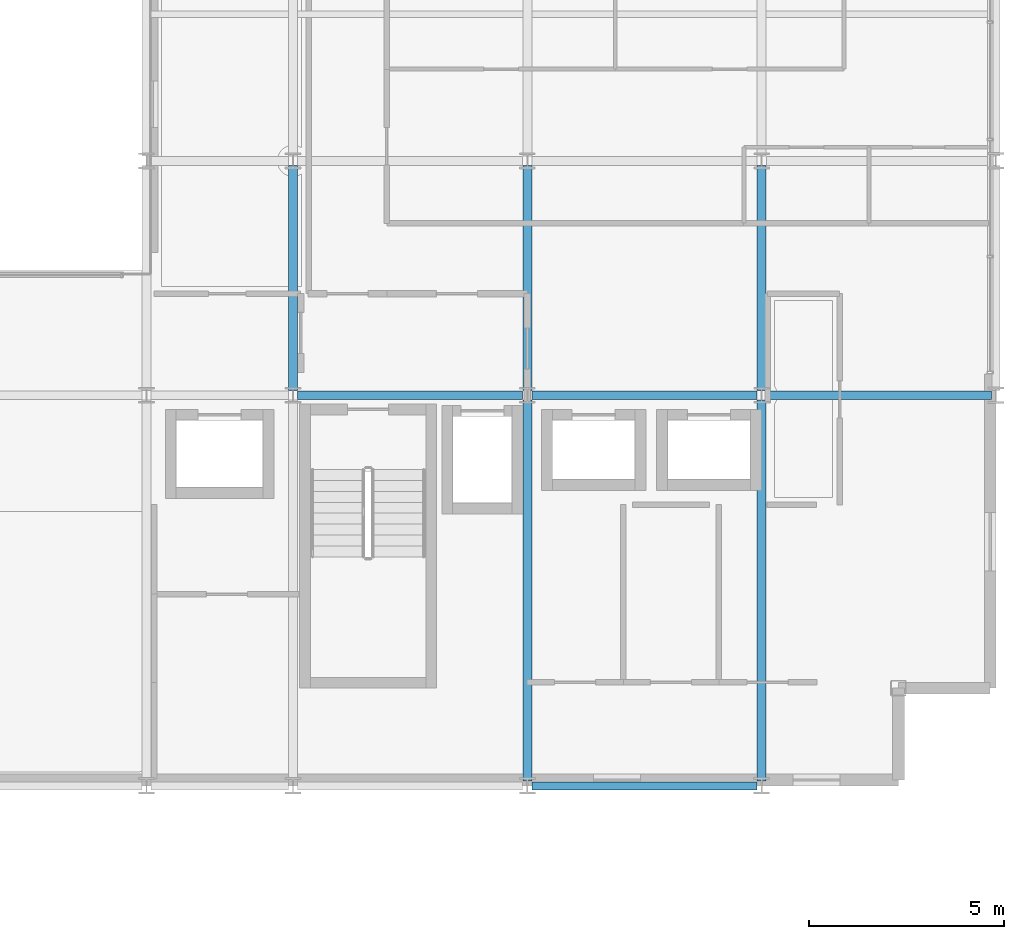
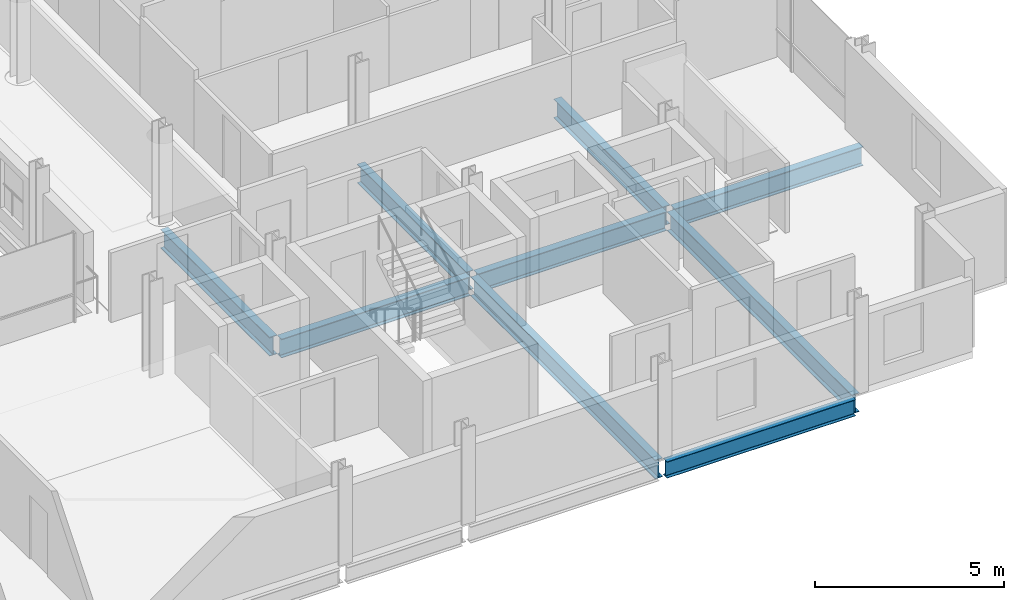
# One storey, part 16 of 41: 9 beams.
"""IFC4 building model written with IfcOpenShell, lengths in metres."""

import ifcopenshell
import ifcopenshell.guid

model = None  # the IFC model being written
_history = None  # IfcOwnerHistory: only IFC2X3 demands one
_inside = {}  # id of a spatial element -> (the spatial element, [elements in it])
_under = {}  # id of a project, library or spatial element -> (it, [spatial elements below it])
_declared = {}  # id of a project -> (the project, [libraries it declares])
_typed = {}  # id of a type object -> (the type object, [elements of that type])
_made_of = {}  # id of a material, layer set ... -> (it, [elements and type objects made of it])


def new_model(schema):
    """Start an empty IFC model of exactly this schema.

    Asked for "IFC4X3", IfcOpenShell would pick the latest addendum, in which some entities
    have other attributes; the version numbers below select the first issue.
    IFC2X3 requires an IfcOwnerHistory on every rooted entity: one is made here for all.
    """
    global model, _history
    if schema == "IFC4X3":
        model = ifcopenshell.file(schema_version=(4, 3, 0, 0))
    else:
        model = ifcopenshell.file(schema=schema)
    _inside.clear()
    _under.clear()
    _declared.clear()
    _typed.clear()
    _made_of.clear()
    _history = None
    if model.schema == "IFC2X3":
        org = make("IfcOrganization", Name="unknown")
        user = make(
            "IfcPersonAndOrganization",
            ThePerson=make("IfcPerson", FamilyName="unknown"),
            TheOrganization=org,
        )
        app = make(
            "IfcApplication",
            ApplicationDeveloper=org,
            Version="unknown",
            ApplicationFullName="unknown",
            ApplicationIdentifier="unknown",
        )
        _history = make(
            "IfcOwnerHistory",
            OwningUser=user,
            OwningApplication=app,
            ChangeAction="ADDED",
            CreationDate=0,
        )
    return model


def make(cls, **values):
    """One entity of the class cls with the attributes given. An attribute that is None is left unset."""
    return model.create_entity(
        cls, **{name: value for name, value in values.items() if value is not None}
    )


def rooted(cls, **values):
    """An entity with a GlobalId (a new one), such as an element, a storey or a relation."""
    return make(cls, GlobalId=ifcopenshell.guid.new(), OwnerHistory=_history, **values)


def si_unit(unit_type, name, prefix=None):
    """IfcSIUnit, for example si_unit("LENGTHUNIT", "METRE", prefix="MILLI")."""
    return make("IfcSIUnit", UnitType=unit_type, Prefix=prefix, Name=name)


def assignment(units):
    """IfcUnitAssignment: the units of a project."""
    return None if units is None else make("IfcUnitAssignment", Units=units)


def point(xyz):
    """IfcCartesianPoint."""
    return None if xyz is None else make("IfcCartesianPoint", Coordinates=xyz)


def direction(xyz):
    """IfcDirection."""
    return None if xyz is None else make("IfcDirection", DirectionRatios=xyz)


def frame(location, z_axis=None, x_axis=None):
    """IfcAxis2Placement3D, a coordinate frame: its origin and axes. An axis left out is left unset."""
    return make(
        "IfcAxis2Placement3D",
        Location=point(location),
        Axis=direction(z_axis),
        RefDirection=direction(x_axis),
    )


def frame_2d(location, x_axis=None):
    """IfcAxis2Placement2D, a coordinate frame in the plane: its origin and x axis."""
    return make(
        "IfcAxis2Placement2D", Location=point(location), RefDirection=direction(x_axis)
    )


def origin():
    """The frame at (0, 0, 0) with its axes left unset."""
    return frame((0.0, 0.0, 0.0))


def origin_2d():
    """The frame at (0, 0) in the plane with its x axis left unset."""
    return frame_2d((0.0, 0.0))


def place(relative_to, where):
    """IfcLocalPlacement: puts the frame where relative to a parent placement (None: the world)."""
    return make(
        "IfcLocalPlacement", PlacementRelTo=relative_to, RelativePlacement=where
    )


def context(
    kind, dimensions, precision=None, world=None, true_north=None, identifier=None
):
    """IfcGeometricRepresentationContext, for example the 3D "Model" context."""
    return make(
        "IfcGeometricRepresentationContext",
        ContextIdentifier=identifier,
        ContextType=kind,
        CoordinateSpaceDimension=dimensions,
        Precision=precision,
        WorldCoordinateSystem=world,
        TrueNorth=true_north,
    )


def subcontext(parent, identifier, kind, view, scale=None):
    """IfcGeometricRepresentationSubContext, for example "Body" below "Model"."""
    return make(
        "IfcGeometricRepresentationSubContext",
        ContextIdentifier=identifier,
        ContextType=kind,
        ParentContext=parent,
        TargetScale=scale,
        TargetView=view,
    )


def project(units=None, contexts=None):
    """IfcProject with its units and contexts."""
    return rooted(
        "IfcProject",
        Name="project",
        RepresentationContexts=contexts,
        UnitsInContext=assignment(units),
    )


def spatial(cls, under=None, at=None, **own):
    """A site, building, storey or space (cls), placed at a placement, below another one or the project."""
    s = rooted(cls, ObjectPlacement=at, **own)
    if under is not None:
        _under.setdefault(under.id(), (under, []))[1].append(s)
    return s


def profile(cls, at=None, kind="AREA", **sizes):
    """A parametric profile (cls). Its sizes go by their IFC names, for example OverallWidth=200.0."""
    return make(cls, ProfileType=kind, Position=at, **sizes)


def i_section(**sizes):
    """IfcIShapeProfileDef."""
    return profile("IfcIShapeProfileDef", **sizes)


def extrude(swept, where, along, depth):
    """IfcExtrudedAreaSolid: the profile swept, set in the frame where, extruded along a direction by depth."""
    return make(
        "IfcExtrudedAreaSolid",
        SweptArea=swept,
        Position=where,
        ExtrudedDirection=direction(along),
        Depth=depth,
    )


def shape(context_of_items, identifier, shape_type, items):
    """IfcShapeRepresentation: the items that make up one representation, for example the "Body"."""
    return make(
        "IfcShapeRepresentation",
        ContextOfItems=context_of_items,
        RepresentationIdentifier=identifier,
        RepresentationType=shape_type,
        Items=items,
    )


def material(Name=None, Category=None):
    """IfcMaterial."""
    return make("IfcMaterial", Name=Name, Category=Category)


def material_profile(
    of_material, cross_section, Name=None, Category=None, Priority=None
):
    """IfcMaterialProfile: a cross section and its material."""
    return make(
        "IfcMaterialProfile",
        Name=Name,
        Material=of_material,
        Profile=cross_section,
        Priority=Priority,
        Category=Category,
    )


def profile_set(profiles, Name=None, composite=None):
    """IfcMaterialProfileSet."""
    return make(
        "IfcMaterialProfileSet",
        Name=Name,
        MaterialProfiles=profiles,
        CompositeProfile=composite,
    )


def made_of(thing, what):
    """Note that an element or type object is made of a material, layer set ...; save() writes the relation."""
    if what is not None:
        _made_of.setdefault(what.id(), (what, []))[1].append(thing)
    return thing


def type_object(cls, material=None, **own):
    """A type object (cls), such as IfcWallType, which elements share."""
    return made_of(rooted(cls, **own), material)


def element(
    cls,
    number,
    at=None,
    inside=None,
    cuts=None,
    type_object=None,
    material=None,
    context=None,
    identifier="Body",
    shape_type=None,
    held_by="IfcProductDefinitionShape",
    body=None,
    shapes=None,
    **own,
):
    """One element of the class cls, such as IfcWall. Its Tag is "e" and its number.

    at: its placement. inside: the storey or other place that contains it. cuts: it is an
    opening in that element (IfcRelVoidsElement). A single representation is given by context,
    identifier, shape_type and body (its items); several are given by shapes. held_by: the class
    of the entity that holds the representations. save() writes the other relations.
    """
    e = rooted(cls, Tag="e%d" % number, ObjectPlacement=at, **own)
    if body is not None:
        shapes = [shape(context, identifier, shape_type, body)]
    if shapes is not None:
        e.Representation = make(held_by, Representations=shapes)
    if inside is not None:
        _inside.setdefault(inside.id(), (inside, []))[1].append(e)
    if cuts is not None:
        rooted(
            "IfcRelVoidsElement", RelatingBuildingElement=cuts, RelatedOpeningElement=e
        )
    if type_object is not None:
        _typed.setdefault(type_object.id(), (type_object, []))[1].append(e)
    return made_of(e, material)


def aggregate(whole, parts):
    """IfcRelAggregates: a whole, such as a stair, and the parts it consists of."""
    return rooted("IfcRelAggregates", RelatingObject=whole, RelatedObjects=parts)


def save(model, path):
    """Write the relations noted so far, then the file.

    IfcRelAggregates (storeys below a building ...), IfcRelContainedInSpatialStructure (elements
    in a storey), IfcRelDefinesByType, IfcRelAssociatesMaterial and IfcRelDeclares: one each for
    every whole, place, type object, material and project.
    """
    for whole, parts in _under.values():
        aggregate(whole, parts)
    for where, things in _inside.values():
        rooted(
            "IfcRelContainedInSpatialStructure",
            RelatedElements=things,
            RelatingStructure=where,
        )
    for kind, things in _typed.values():
        rooted("IfcRelDefinesByType", RelatedObjects=things, RelatingType=kind)
    for what, things in _made_of.values():
        rooted("IfcRelAssociatesMaterial", RelatedObjects=things, RelatingMaterial=what)
    for by, libraries in _declared.values():
        rooted("IfcRelDeclares", RelatingContext=by, RelatedDefinitions=libraries)
    model.write(path)


model = new_model("IFC4")

# Units and contexts
model_context = context("Model", 3, precision=1e-05, world=origin(), true_north=direction((0.0, 1.0)))
body_context = subcontext(model_context, "Body", "Model", "MODEL_VIEW")
ifc_project = project(units=[si_unit("LENGTHUNIT", "METRE"), si_unit("AREAUNIT", "SQUARE_METRE"), si_unit("VOLUMEUNIT", "CUBIC_METRE"), si_unit("PLANEANGLEUNIT", "RADIAN"), si_unit("MASSUNIT", "GRAM", prefix="KILO")], contexts=[model_context])

# Site, building, storey
site_placement = place(None, origin())
site = spatial("IfcSite", under=ifc_project, at=site_placement, CompositionType="ELEMENT")
building_placement = place(site_placement, origin())
building = spatial("IfcBuilding", under=site, at=building_placement, Name="Brevholm Reach", CompositionType="ELEMENT")
storey_placement = place(building_placement, frame((0.0, 0.0, 144.89990234375)))
storey = spatial("IfcBuildingStorey", under=building, at=storey_placement, Name="L43", CompositionType="ELEMENT", Elevation=144.89990234375)

# Beams
ifc_material_1 = material(Name="Structural Steel S355J2", Category="steel")
ifc_material_profile_1 = material_profile(ifc_material_1, i_section(OverallWidth=0.209228515625, OverallDepth=0.533203125, WebThickness=0.010009765625, FlangeThickness=0.015625, FilletRadius=0.0126953125, at=origin_2d()), Name="UKB 533x210x92")
ifc_profile_set_1 = profile_set([ifc_material_profile_1], Name="Structural Steel S355J2")
beam_type_1 = type_object("IfcBeamType", Name="BM-SP533", PredefinedType="SPANDREL", material=ifc_profile_set_1)
beam_1_placement = place(storey_placement, frame((48.1201171875, 0.0, -0.486572265625), z_axis=(1.0, 0.0, 0.0), x_axis=(0.0, 1.0, 0.0)))
element("IfcBeam", 1, at=beam_1_placement, inside=storey, type_object=beam_type_1, Name="L43 SP-02 Framing Beam", PredefinedType="SPANDREL", context=body_context, shape_type="SweptSolid", body=[
    extrude(i_section(OverallWidth=0.209228515625, OverallDepth=0.533203125, WebThickness=0.010009765625, FlangeThickness=0.015625, FilletRadius=0.0126953125, at=origin_2d()), origin(), (0.0, 0.0, 1.0), 5.759765625),
])
ifc_material_2 = material(Name="Structural Steel S355J2", Category="steel")
ifc_material_profile_2 = material_profile(ifc_material_2, i_section(OverallWidth=0.22900390625, OverallDepth=0.6123046875, WebThickness=0.011962890625, FlangeThickness=0.01953125, FilletRadius=0.0126953125, at=origin_2d()), Name="UKB 610x229x125")
ifc_profile_set_2 = profile_set([ifc_material_profile_2], Name="Structural Steel S355J2")
beam_type_2 = type_object("IfcBeamType", Name="BM-SP610", PredefinedType="SPANDREL", material=ifc_profile_set_2)
for number, where, z_axis, x_axis, name in (
    (2, (42.1201171875, 10.0, -0.526123046875), (1.0, 0.0, 0.0), (0.0, 1.0, 0.0), "L43 SP-01 Framing Beam"),
    (3, (48.1201171875, 10.0, -0.526123046875), (1.0, 0.0, 0.0), (0.0, 1.0, 0.0), "L43 SP-01 Framing Beam"),
    (4, (54.1201171875, 10.0, -0.526123046875), (1.0, 0.0, 0.0), (0.0, 1.0, 0.0), "L43 SP-01 Framing Beam"),
    (5, (42.0, 10.1201171875, -0.526123046875), (0.0, 1.0, 0.0), (-1.0, 0.0, 0.0), "L43 SP-01 Framing Beam"),
):
    element("IfcBeam", number, at=place(storey_placement, frame(where, z_axis=z_axis, x_axis=x_axis)), inside=storey, type_object=beam_type_2, Name=name, PredefinedType="SPANDREL", context=body_context, shape_type="SweptSolid", body=[
        extrude(i_section(OverallWidth=0.22900390625, OverallDepth=0.6123046875, WebThickness=0.011962890625, FlangeThickness=0.01953125, FilletRadius=0.0126953125, at=origin_2d()), origin(), (0.0, 0.0, 1.0), 5.759765625),
    ])
beam_2_placement = place(storey_placement, frame((48.0, 0.1201171875, -0.526123046875), z_axis=(0.0, 1.0, 0.0), x_axis=(-1.0, 0.0, 0.0)))
element("IfcBeam", 6, at=beam_2_placement, inside=storey, type_object=beam_type_2, Name="L43 SP-01 Framing Beam", PredefinedType="SPANDREL", context=body_context, shape_type="SweptSolid", body=[
    extrude(i_section(OverallWidth=0.22900390625, OverallDepth=0.6123046875, WebThickness=0.011962890625, FlangeThickness=0.01953125, FilletRadius=0.0126953125, at=origin_2d()), origin(), (0.0, 0.0, 1.0), 9.759765625),
])
beam_3_placement = place(storey_placement, frame((48.0, 10.1201171875, -0.526123046875), z_axis=(0.0, 1.0, 0.0), x_axis=(-1.0, 0.0, 0.0)))
element("IfcBeam", 7, at=beam_3_placement, inside=storey, type_object=beam_type_2, Name="L43 SP-01 Framing Beam", PredefinedType="SPANDREL", context=body_context, shape_type="SweptSolid", body=[
    extrude(i_section(OverallWidth=0.22900390625, OverallDepth=0.6123046875, WebThickness=0.011962890625, FlangeThickness=0.01953125, FilletRadius=0.0126953125, at=origin_2d()), origin(), (0.0, 0.0, 1.0), 5.759765625),
])
beam_4_placement = place(storey_placement, frame((54.0, 0.1201171875, -0.526123046875), z_axis=(0.0, 1.0, 0.0), x_axis=(-1.0, 0.0, 0.0)))
element("IfcBeam", 8, at=beam_4_placement, inside=storey, type_object=beam_type_2, Name="L43 SP-01 Framing Beam", PredefinedType="SPANDREL", context=body_context, shape_type="SweptSolid", body=[
    extrude(i_section(OverallWidth=0.22900390625, OverallDepth=0.6123046875, WebThickness=0.011962890625, FlangeThickness=0.01953125, FilletRadius=0.0126953125, at=origin_2d()), origin(), (0.0, 0.0, 1.0), 9.759765625),
])
beam_5_placement = place(storey_placement, frame((54.0, 10.1201171875, -0.526123046875), z_axis=(0.0, 1.0, 0.0), x_axis=(-1.0, 0.0, 0.0)))
element("IfcBeam", 9, at=beam_5_placement, inside=storey, type_object=beam_type_2, Name="L43 SP-01 Framing Beam", PredefinedType="SPANDREL", context=body_context, shape_type="SweptSolid", body=[
    extrude(i_section(OverallWidth=0.22900390625, OverallDepth=0.6123046875, WebThickness=0.011962890625, FlangeThickness=0.01953125, FilletRadius=0.0126953125, at=origin_2d()), origin(), (0.0, 0.0, 1.0), 5.759765625),
])

save(model, "model.ifc")
